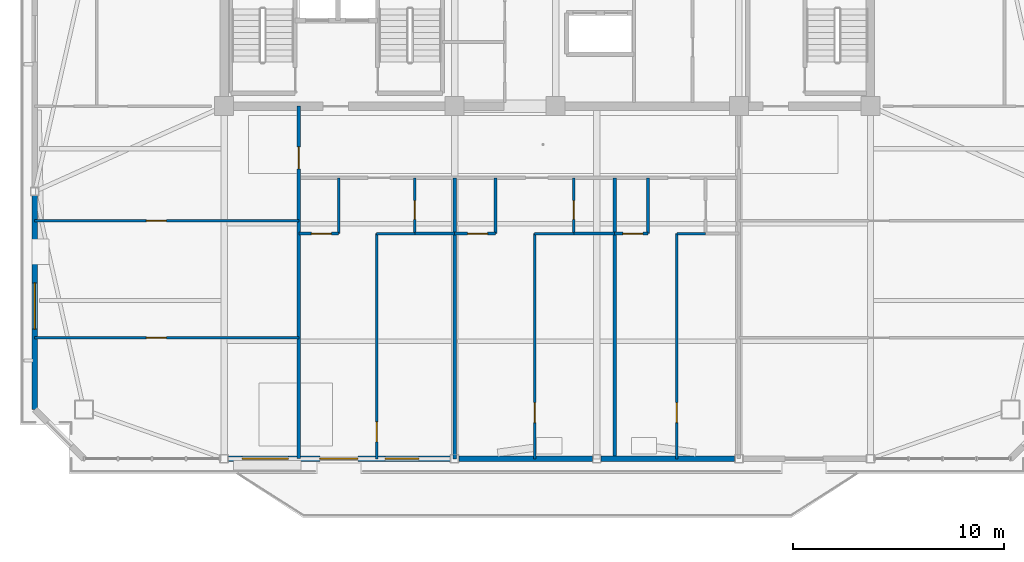
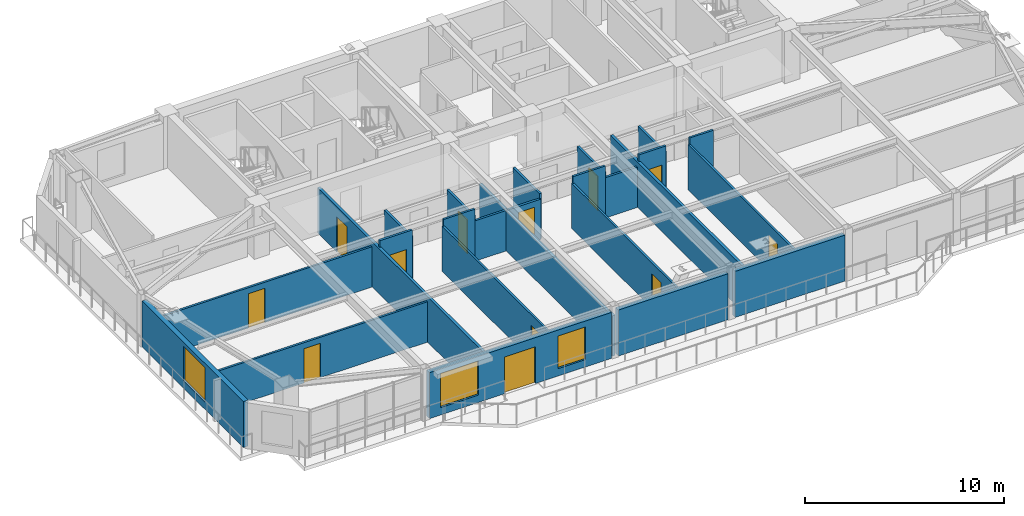
# One storey, part 6 of 14: 25 walls, 12 doors, 3 windows, 15 openings.
"""IFC4 building model written with IfcOpenShell, lengths in metres."""

from ifc_helpers import new_model, si_unit, direction, frame, frame_2d, origin, place, context, subcontext, project, spatial, rectangle, extrude, source, transform, mapped, material, layer, layer_set, type_object, element, fill, save


model = new_model("IFC4")

# Units and contexts
model_context = context("Model", 3, precision=1e-05, world=origin(), true_north=direction((0.0, 1.0)))
body_context = subcontext(model_context, "Body", "Model", "MODEL_VIEW")
ifc_project = project(units=[si_unit("LENGTHUNIT", "METRE"), si_unit("AREAUNIT", "SQUARE_METRE"), si_unit("VOLUMEUNIT", "CUBIC_METRE"), si_unit("PLANEANGLEUNIT", "RADIAN"), si_unit("MASSUNIT", "GRAM", prefix="KILO")], contexts=[model_context])

# Site, building, storey
site_placement = place(None, origin())
site = spatial("IfcSite", under=ifc_project, at=site_placement, CompositionType="ELEMENT")
building_placement = place(site_placement, origin())
building = spatial("IfcBuilding", under=site, at=building_placement, Name="Giltprow Tower", CompositionType="ELEMENT")
storey_placement = place(building_placement, frame((0.0, 0.0, 317.60009765625)))
storey = spatial("IfcBuildingStorey", under=building, at=storey_placement, Name="L82", CompositionType="ELEMENT", Elevation=317.60009765625)

# Wall, openings, windows, door
ifc_material_1 = material(Name="Precast concrete C40", Category="concrete")
ifc_layer_1 = layer(ifc_material_1, 0.280029296875, Name="Precast concrete C40")
ifc_layer_set_1 = layer_set([ifc_layer_1], Name="Precast concrete C40")
wall_type_1 = type_object("IfcWallType", Name="EW-TOW-BRONZE-280", PredefinedType="SOLIDWALL", material=ifc_layer_set_1)
wall_1_placement = place(storey_placement, frame((20.050048828125, 20.7041015625, 0.0), z_axis=(0.0, 0.0, 1.0), x_axis=(1.0, 0.0, 0.0)))
wall_1 = element("IfcWall", 1, at=wall_1_placement, inside=storey, type_object=wall_type_1, Name="L82 South Expressed Frame Wall 2", PredefinedType="SOLIDWALL", context=body_context, shape_type="SweptSolid", body=[
    extrude(rectangle(XDim=10.550048828125, YDim=0.280029296875, at=frame_2d((5.27490234375, 0.0))), origin(), (0.0, 0.0, 1.0), 2.81494140625),
])
opening_1_placement = place(wall_1_placement, frame((4.35009765625, 0.0, 0.0)))
opening_1 = element("IfcOpeningElement", 2, at=opening_1_placement, cuts=wall_1, Name="Opening ED25", PredefinedType="OPENING", context=body_context, shape_type="SweptSolid", body=[
    extrude(rectangle(XDim=1.800048828125, YDim=2.25, at=frame_2d((0.89990234375, 1.125))), frame((0.0, 0.14990234375, 0.0), z_axis=(0.0, -1.0, 0.0), x_axis=(1.0, 0.0, 0.0)), (0.0, 0.0, 1.0), 0.300048828125),
])
opening_2_placement = place(wall_1_placement, frame((0.64990234375, 0.0, 0.449951171875)))
opening_2 = element("IfcOpeningElement", 3, at=opening_2_placement, cuts=wall_1, Name="Opening WN27", PredefinedType="OPENING", context=body_context, shape_type="SweptSolid", body=[
    extrude(rectangle(XDim=2.199951171875, YDim=2.10009765625, at=frame_2d((1.10009765625, 1.050048828125))), frame((0.0, 0.14990234375, 0.0), z_axis=(0.0, -1.0, 0.0), x_axis=(1.0, 0.0, 0.0)), (0.0, 0.0, 1.0), 0.300048828125),
])
opening_3_placement = place(wall_1_placement, frame((7.449951171875, 0.0, 0.449951171875)))
opening_3 = element("IfcOpeningElement", 4, at=opening_3_placement, cuts=wall_1, Name="Opening WN17", PredefinedType="OPENING", context=body_context, shape_type="SweptSolid", body=[
    extrude(rectangle(XDim=1.60009765625, YDim=2.0, at=frame_2d((0.800048828125, 1.0))), frame((0.0, 0.14990234375, 0.0), z_axis=(0.0, -1.0, 0.0), x_axis=(1.0, 0.0, 0.0)), (0.0, 0.0, 1.0), 0.300048828125),
])
ifc_material_2 = material(Name="Insulated glass", Category="glass")
window_type_1 = type_object("IfcWindowType", Name="WN-COR-1600x2000", PartitioningType="SINGLE_PANEL", PredefinedType="WINDOW", material=ifc_material_2)
shared_shape_1 = source(origin(), body_context, "Body", "SweptSolid", [
    extrude(rectangle(XDim=1.60009765625, YDim=2.0, at=frame_2d((0.800048828125, 1.0))), frame((0.0, 0.030029296875, 0.0), z_axis=(0.0, -1.0, 0.0), x_axis=(1.0, 0.0, 0.0)), (0.0, 0.0, 1.0), 0.06005859375),
])
window_1_placement = place(opening_3_placement, origin())
window_1 = element("IfcWindow", 5, at=window_1_placement, inside=storey, type_object=window_type_1, Name="L82 South Window 2B", OverallHeight=2.0, OverallWidth=1.60009765625, PartitioningType="SINGLE_PANEL", PredefinedType="WINDOW", context=body_context, shape_type="MappedRepresentation", body=[
    mapped(shared_shape_1, transform((0.0, 0.0, 0.0), x_axis=(1.0, 0.0, 0.0), y_axis=(0.0, 1.0, 0.0), z_axis=(0.0, 0.0, 1.0), scale=1.0)),
])
fill(opening_3, window_1)
ifc_material_3 = material(Name="Anodized bronze and glass", Category="glass")
door_type_1 = type_object("IfcDoorType", Name="DR-BALC-SLIDE-1800", OperationType="SLIDING_TO_LEFT", PredefinedType="DOOR", material=ifc_material_3)
shared_shape_2 = source(origin(), body_context, "Body", "SweptSolid", [
    extrude(rectangle(XDim=1.800048828125, YDim=2.25, at=frame_2d((0.89990234375, 1.125))), frame((0.0, 0.02490234375, 0.0), z_axis=(0.0, -1.0, 0.0), x_axis=(1.0, 0.0, 0.0)), (0.0, 0.0, 1.0), 0.050048828125),
])
door_1_placement = place(opening_1_placement, origin())
door_1 = element("IfcDoor", 6, at=door_1_placement, inside=storey, type_object=door_type_1, Name="L82 Waterfront Balcony Sliding Door 1", OperationType="SLIDING_TO_LEFT", OverallHeight=2.25, OverallWidth=1.800048828125, PredefinedType="DOOR", context=body_context, shape_type="MappedRepresentation", body=[
    mapped(shared_shape_2, transform((0.0, 0.0, 0.0), x_axis=(1.0, 0.0, 0.0), y_axis=(0.0, 1.0, 0.0), z_axis=(0.0, 0.0, 1.0), scale=1.0)),
])
fill(opening_1, door_1)
window_type_2 = type_object("IfcWindowType", Name="WN-RES-2200x2100", PartitioningType="TRIPLE_PANEL_VERTICAL", PredefinedType="WINDOW", material=ifc_material_2)
shared_shape_3 = source(origin(), body_context, "Body", "SweptSolid", [
    extrude(rectangle(XDim=2.199951171875, YDim=2.10009765625, at=frame_2d((1.10009765625, 1.050048828125))), frame((0.0, 0.030029296875, 0.0), z_axis=(0.0, -1.0, 0.0), x_axis=(1.0, 0.0, 0.0)), (0.0, 0.0, 1.0), 0.06005859375),
])
window_2_placement = place(opening_2_placement, origin())
window_2 = element("IfcWindow", 7, at=window_2_placement, inside=storey, type_object=window_type_2, Name="L82 South Window 2A", OverallHeight=2.10009765625, OverallWidth=2.199951171875, PartitioningType="SINGLE_PANEL", PredefinedType="WINDOW", context=body_context, shape_type="MappedRepresentation", body=[
    mapped(shared_shape_3, transform((0.0, 0.0, 0.0), x_axis=(1.0, 0.0, 0.0), y_axis=(0.0, 1.0, 0.0), z_axis=(0.0, 0.0, 1.0), scale=1.0)),
])
fill(opening_2, window_2)

# Walls
for number, where, z_axis, x_axis, name in (
    (8, (31.0, 20.7041015625, 0.0), (0.0, 0.0, 1.0), (1.0, 0.0, 0.0), "L82 South Expressed Frame Wall 3"),
    (9, (37.75, 20.7041015625, 0.0), (0.0, 0.0, 1.0), (1.0, 0.0, 0.0), "L82 South Expressed Frame Wall 4"),
):
    element("IfcWall", number, at=place(storey_placement, frame(where, z_axis=z_axis, x_axis=x_axis)), inside=storey, type_object=wall_type_1, Name=name, PredefinedType="SOLIDWALL", context=body_context, shape_type="SweptSolid", body=[
        extrude(rectangle(XDim=6.35009765625, YDim=0.280029296875, at=frame_2d((3.175048828125, 0.0))), origin(), (0.0, 0.0, 1.0), 2.81494140625),
    ])

# Wall, opening, window
wall_2_placement = place(storey_placement, frame((10.85498046875, 23.0419921875, 0.0), z_axis=(0.0, 0.0, 1.0), x_axis=(0.0, 1.0, 0.0)))
wall_2 = element("IfcWall", 10, at=wall_2_placement, inside=storey, type_object=wall_type_1, Name="L82 W Wing Masonry Wall 1", PredefinedType="SOLIDWALL", context=body_context, shape_type="SweptSolid", body=[
    extrude(rectangle(XDim=10.159912109375, YDim=0.280029296875, at=frame_2d((5.080078125, 0.0))), origin(), (0.0, 0.0, 1.0), 2.81494140625),
])
opening_4_placement = place(wall_2_placement, frame((3.820068359375, 0.0, 0.449951171875)))
opening_4 = element("IfcOpeningElement", 11, at=opening_4_placement, cuts=wall_2, Name="Opening WN27", PredefinedType="OPENING", context=body_context, shape_type="SweptSolid", body=[
    extrude(rectangle(XDim=2.199951171875, YDim=2.10009765625, at=frame_2d((1.10009765625, 1.050048828125))), frame((0.0, 0.14990234375, 0.0), z_axis=(0.0, -1.0, 0.0), x_axis=(1.0, 0.0, 0.0)), (0.0, 0.0, 1.0), 0.300048828125),
])
window_3_placement = place(opening_4_placement, origin())
window_3 = element("IfcWindow", 12, at=window_3_placement, inside=storey, type_object=window_type_2, Name="L82 W Wing Window 1-1", OverallHeight=2.10009765625, OverallWidth=2.199951171875, PartitioningType="SINGLE_PANEL", PredefinedType="WINDOW", context=body_context, shape_type="MappedRepresentation", body=[
    mapped(shared_shape_3, transform((0.0, 0.0, 0.0), x_axis=(1.0, 0.0, 0.0), y_axis=(0.0, 1.0, 0.0), z_axis=(0.0, 0.0, 1.0), scale=1.0)),
])
fill(opening_4, window_3)

# Wall, opening, door
ifc_material_4 = material(Name="Gypsum stud partition", Category="gypsum")
ifc_layer_2 = layer(ifc_material_4, 0.159912109375, Name="Gypsum stud partition")
ifc_layer_set_2 = layer_set([ifc_layer_2], Name="Gypsum stud partition")
wall_type_2 = type_object("IfcWallType", Name="IW-DEMISE-160", PredefinedType="PARTITIONING", material=ifc_layer_set_2)
wall_3_placement = place(storey_placement, frame((23.39990234375, 20.7041015625, 0.0), z_axis=(0.0, 0.0, 1.0), x_axis=(0.0, 1.0, 0.0)))
wall_3 = element("IfcWall", 13, at=wall_3_placement, inside=storey, type_object=wall_type_2, Name="L82 Apartment Party Wall 1", PredefinedType="PARTITIONING", context=body_context, shape_type="SweptSolid", body=[
    extrude(rectangle(XDim=16.745849609375, YDim=0.159912109375, at=frame_2d((8.373046875, 0.0))), origin(), (0.0, 0.0, 1.0), 2.77001953125),
])
opening_5_placement = place(wall_3_placement, frame((13.76611328125, 0.0, 0.0)))
opening_5 = element("IfcOpeningElement", 14, at=opening_5_placement, cuts=wall_3, Name="Opening ID31", PredefinedType="OPENING", context=body_context, shape_type="SweptSolid", body=[
    extrude(rectangle(XDim=1.050048828125, YDim=2.14990234375, at=frame_2d((0.52490234375, 1.074951171875))), frame((0.0, 0.08984375, 0.0), z_axis=(0.0, -1.0, 0.0), x_axis=(1.0, 0.0, 0.0)), (0.0, 0.0, 1.0), 0.179931640625),
])
ifc_material_5 = material(Name="Engineered timber", Category="wood")
door_type_2 = type_object("IfcDoorType", Name="DR-SUITE-1050", OperationType="SINGLE_SWING_LEFT", PredefinedType="DOOR", material=ifc_material_5)
shared_shape_4 = source(origin(), body_context, "Body", "SweptSolid", [
    extrude(rectangle(XDim=1.050048828125, YDim=2.14990234375, at=frame_2d((0.52490234375, 1.074951171875))), frame((0.0, 0.02490234375, 0.0), z_axis=(0.0, -1.0, 0.0), x_axis=(1.0, 0.0, 0.0)), (0.0, 0.0, 1.0), 0.050048828125),
])
door_2_placement = place(opening_5_placement, origin())
door_2 = element("IfcDoor", 15, at=door_2_placement, inside=storey, type_object=door_type_2, Name="L82 Committee Meeting Room Corridor End Door", OperationType="SINGLE_SWING_LEFT", OverallHeight=2.14990234375, OverallWidth=1.050048828125, PredefinedType="DOOR", context=body_context, shape_type="MappedRepresentation", body=[
    mapped(shared_shape_4, transform((0.0, 0.0, 0.0), x_axis=(1.0, 0.0, 0.0), y_axis=(0.0, 1.0, 0.0), z_axis=(0.0, 0.0, 1.0), scale=1.0)),
])
fill(opening_5, door_2)

# Walls
wall_4_placement = place(storey_placement, frame((30.800048828125, 20.7041015625, 0.0), z_axis=(0.0, 0.0, 1.0), x_axis=(0.0, 1.0, 0.0)))
element("IfcWall", 16, at=wall_4_placement, inside=storey, type_object=wall_type_2, Name="L82 Apartment Party Wall 2", PredefinedType="PARTITIONING", context=body_context, shape_type="SweptSolid", body=[
    extrude(rectangle(XDim=13.345947265625, YDim=0.159912109375, at=frame_2d((6.6728515625, 0.0))), origin(), (0.0, 0.0, 1.0), 2.469970703125),
])
wall_5_placement = place(storey_placement, frame((38.39990234375, 20.7041015625, 0.0), z_axis=(0.0, 0.0, 1.0), x_axis=(0.0, 1.0, 0.0)))
element("IfcWall", 17, at=wall_5_placement, inside=storey, type_object=wall_type_2, Name="L82 Apartment Party Wall 3", PredefinedType="PARTITIONING", context=body_context, shape_type="SweptSolid", body=[
    extrude(rectangle(XDim=13.345947265625, YDim=0.159912109375, at=frame_2d((6.6728515625, 0.0))), origin(), (0.0, 0.0, 1.0), 2.77001953125),
])

# Wall, opening, door
ifc_layer_3 = layer(ifc_material_4, 0.1201171875, Name="Gypsum stud partition")
ifc_layer_set_3 = layer_set([ifc_layer_3], Name="Gypsum stud partition")
wall_type_3 = type_object("IfcWallType", Name="IW-ROOM-120", PredefinedType="PARTITIONING", material=ifc_layer_set_3)
wall_6_placement = place(storey_placement, frame((10.85498046875, 26.4619140625, 0.0), z_axis=(0.0, 0.0, 1.0), x_axis=(1.0, 0.0, 0.0)))
wall_6 = element("IfcWall", 18, at=wall_6_placement, inside=storey, type_object=wall_type_3, Name="L82 Special Split 1", PredefinedType="PARTITIONING", context=body_context, shape_type="SweptSolid", body=[
    extrude(rectangle(XDim=12.544921875, YDim=0.1201171875, at=frame_2d((6.2724609375, 0.0))), origin(), (0.0, 0.0, 1.0), 2.469970703125),
])
opening_6_placement = place(wall_6_placement, frame((5.303955078125, 0.0, 0.0)))
opening_6 = element("IfcOpeningElement", 19, at=opening_6_placement, cuts=wall_6, Name="Opening ID11", PredefinedType="OPENING", context=body_context, shape_type="SweptSolid", body=[
    extrude(rectangle(XDim=0.949951171875, YDim=2.10009765625, at=frame_2d((0.47509765625, 1.050048828125))), frame((0.0, 0.070068359375, 0.0), z_axis=(0.0, -1.0, 0.0), x_axis=(1.0, 0.0, 0.0)), (0.0, 0.0, 1.0), 0.14013671875),
])
door_type_3 = type_object("IfcDoorType", Name="DR-ROOM-950", OperationType="SINGLE_SWING_RIGHT", PredefinedType="DOOR", material=ifc_material_5)
shared_shape_5 = source(origin(), body_context, "Body", "SweptSolid", [
    extrude(rectangle(XDim=0.949951171875, YDim=2.10009765625, at=frame_2d((0.47509765625, 1.050048828125))), frame((0.0, 0.02490234375, 0.0), z_axis=(0.0, -1.0, 0.0), x_axis=(1.0, 0.0, 0.0)), (0.0, 0.0, 1.0), 0.050048828125),
])
door_3_placement = place(opening_6_placement, origin())
door_3 = element("IfcDoor", 20, at=door_3_placement, inside=storey, type_object=door_type_3, Name="L82 Committee Meeting Room South Door", OperationType="SINGLE_SWING_LEFT", OverallHeight=2.10009765625, OverallWidth=0.949951171875, PredefinedType="DOOR", context=body_context, shape_type="MappedRepresentation", body=[
    mapped(shared_shape_5, transform((0.0, 0.0, 0.0), x_axis=(1.0, 0.0, 0.0), y_axis=(0.0, 1.0, 0.0), z_axis=(0.0, 0.0, 1.0), scale=1.0)),
])
fill(opening_6, door_3)

wall_7_placement = place(storey_placement, frame((10.85498046875, 32.01904296875, 0.0), z_axis=(0.0, 0.0, 1.0), x_axis=(1.0, 0.0, 0.0)))
wall_7 = element("IfcWall", 21, at=wall_7_placement, inside=storey, type_object=wall_type_3, Name="L82 Special Split 2", PredefinedType="PARTITIONING", context=body_context, shape_type="SweptSolid", body=[
    extrude(rectangle(XDim=12.544921875, YDim=0.1201171875, at=frame_2d((6.2724609375, 0.0))), origin(), (0.0, 0.0, 1.0), 2.469970703125),
])
opening_7_placement = place(wall_7_placement, frame((5.303955078125, 0.0, 0.0)))
opening_7 = element("IfcOpeningElement", 22, at=opening_7_placement, cuts=wall_7, Name="Opening ID11", PredefinedType="OPENING", context=body_context, shape_type="SweptSolid", body=[
    extrude(rectangle(XDim=0.949951171875, YDim=2.10009765625, at=frame_2d((0.47509765625, 1.050048828125))), frame((0.0, 0.070068359375, 0.0), z_axis=(0.0, -1.0, 0.0), x_axis=(1.0, 0.0, 0.0)), (0.0, 0.0, 1.0), 0.14013671875),
])
door_4_placement = place(opening_7_placement, origin())
door_4 = element("IfcDoor", 23, at=door_4_placement, inside=storey, type_object=door_type_3, Name="L82 Committee Meeting Room Mid Door", OperationType="SINGLE_SWING_RIGHT", OverallHeight=2.10009765625, OverallWidth=0.949951171875, PredefinedType="DOOR", context=body_context, shape_type="MappedRepresentation", body=[
    mapped(shared_shape_5, transform((0.0, 0.0, 0.0), x_axis=(1.0, 0.0, 0.0), y_axis=(0.0, 1.0, 0.0), z_axis=(0.0, 0.0, 1.0), scale=1.0)),
])
fill(opening_7, door_4)

# Wall
wall_8_placement = place(storey_placement, frame((27.10009765625, 31.39990234375, 0.0), z_axis=(0.0, 0.0, 1.0), x_axis=(1.0, 0.0, 0.0)))
element("IfcWall", 24, at=wall_8_placement, inside=storey, type_object=wall_type_3, Name="L82 Unit 1 Bedroom North Wall", PredefinedType="PARTITIONING", context=body_context, shape_type="SweptSolid", body=[
    extrude(rectangle(XDim=1.809814453125, YDim=0.1201171875, at=frame_2d((0.90478515625, 0.0))), origin(), (0.0, 0.0, 1.0), 3.184814453125),
])

# Wall, opening, door
wall_9_placement = place(storey_placement, frame((27.10009765625, 20.7041015625, 0.0), z_axis=(0.0, 0.0, 1.0), x_axis=(0.0, 1.0, 0.0)))
wall_9 = element("IfcWall", 25, at=wall_9_placement, inside=storey, type_object=wall_type_3, Name="L82 Unit 1 Bedroom Wall", PredefinedType="PARTITIONING", context=body_context, shape_type="SweptSolid", body=[
    extrude(rectangle(XDim=10.69580078125, YDim=0.1201171875, at=frame_2d((5.347900390625, 0.0))), origin(), (0.0, 0.0, 1.0), 2.77001953125),
])
opening_8_placement = place(wall_9_placement, frame((0.800048828125, 0.0, 0.0)))
opening_8 = element("IfcOpeningElement", 26, at=opening_8_placement, cuts=wall_9, Name="Opening ID11", PredefinedType="OPENING", context=body_context, shape_type="SweptSolid", body=[
    extrude(rectangle(XDim=0.949951171875, YDim=2.10009765625, at=frame_2d((0.47509765625, 1.050048828125))), frame((0.0, 0.070068359375, 0.0), z_axis=(0.0, -1.0, 0.0), x_axis=(1.0, 0.0, 0.0)), (0.0, 0.0, 1.0), 0.14013671875),
])
door_5_placement = place(opening_8_placement, origin())
door_5 = element("IfcDoor", 27, at=door_5_placement, inside=storey, type_object=door_type_3, Name="L82 Unit 1 Primary Bedroom Door", OperationType="SINGLE_SWING_LEFT", OverallHeight=2.10009765625, OverallWidth=0.949951171875, PredefinedType="DOOR", context=body_context, shape_type="MappedRepresentation", body=[
    mapped(shared_shape_5, transform((0.0, 0.0, 0.0), x_axis=(1.0, 0.0, 0.0), y_axis=(0.0, 1.0, 0.0), z_axis=(0.0, 0.0, 1.0), scale=1.0)),
])
fill(opening_8, door_5)

# Wall
wall_10_placement = place(storey_placement, frame((34.60009765625, 31.39990234375, 0.0), z_axis=(0.0, 0.0, 1.0), x_axis=(1.0, 0.0, 0.0)))
element("IfcWall", 28, at=wall_10_placement, inside=storey, type_object=wall_type_3, Name="L82 Unit 2 Bedroom North Wall", PredefinedType="PARTITIONING", context=body_context, shape_type="SweptSolid", body=[
    extrude(rectangle(XDim=1.85986328125, YDim=0.1201171875, at=frame_2d((0.929931640625, 0.0))), origin(), (0.0, 0.0, 1.0), 3.184814453125),
])

# Wall, opening, door
wall_11_placement = place(storey_placement, frame((34.60009765625, 20.7041015625, 0.0), z_axis=(0.0, 0.0, 1.0), x_axis=(0.0, 1.0, 0.0)))
wall_11 = element("IfcWall", 29, at=wall_11_placement, inside=storey, type_object=wall_type_3, Name="L82 Unit 2 Bedroom Wall", PredefinedType="PARTITIONING", context=body_context, shape_type="SweptSolid", body=[
    extrude(rectangle(XDim=10.69580078125, YDim=0.1201171875, at=frame_2d((5.347900390625, 0.0))), origin(), (0.0, 0.0, 1.0), 2.77001953125),
])
opening_9_placement = place(wall_11_placement, frame((1.719970703125, 0.0, 0.0)))
opening_9 = element("IfcOpeningElement", 30, at=opening_9_placement, cuts=wall_11, Name="Opening ID11", PredefinedType="OPENING", context=body_context, shape_type="SweptSolid", body=[
    extrude(rectangle(XDim=0.949951171875, YDim=2.10009765625, at=frame_2d((0.47509765625, 1.050048828125))), frame((0.0, 0.070068359375, 0.0), z_axis=(0.0, -1.0, 0.0), x_axis=(1.0, 0.0, 0.0)), (0.0, 0.0, 1.0), 0.14013671875),
])
door_6_placement = place(opening_9_placement, origin())
door_6 = element("IfcDoor", 31, at=door_6_placement, inside=storey, type_object=door_type_3, Name="L82 Unit 2 Primary Bedroom Door", OperationType="SINGLE_SWING_LEFT", OverallHeight=2.10009765625, OverallWidth=0.949951171875, PredefinedType="DOOR", context=body_context, shape_type="MappedRepresentation", body=[
    mapped(shared_shape_5, transform((0.0, 0.0, 0.0), x_axis=(1.0, 0.0, 0.0), y_axis=(0.0, 1.0, 0.0), z_axis=(0.0, 0.0, 1.0), scale=1.0)),
])
fill(opening_9, door_6)

# Wall
wall_12_placement = place(storey_placement, frame((41.35009765625, 31.39990234375, 0.0), z_axis=(0.0, 0.0, 1.0), x_axis=(1.0, 0.0, 0.0)))
element("IfcWall", 32, at=wall_12_placement, inside=storey, type_object=wall_type_3, Name="L82 Unit 3 Bedroom North Wall", PredefinedType="PARTITIONING", context=body_context, shape_type="SweptSolid", body=[
    extrude(rectangle(XDim=1.369873046875, YDim=0.1201171875, at=frame_2d((0.68505859375, 0.0))), origin(), (0.0, 0.0, 1.0), 3.184814453125),
])

# Wall, opening, door
wall_13_placement = place(storey_placement, frame((41.35009765625, 20.7041015625, 0.0), z_axis=(0.0, 0.0, 1.0), x_axis=(0.0, 1.0, 0.0)))
wall_13 = element("IfcWall", 33, at=wall_13_placement, inside=storey, type_object=wall_type_3, Name="L82 Unit 3 Bedroom Wall", PredefinedType="PARTITIONING", context=body_context, shape_type="SweptSolid", body=[
    extrude(rectangle(XDim=10.69580078125, YDim=0.1201171875, at=frame_2d((5.347900390625, 0.0))), origin(), (0.0, 0.0, 1.0), 2.77001953125),
])
opening_10_placement = place(wall_13_placement, frame((1.719970703125, 0.0, 0.0)))
opening_10 = element("IfcOpeningElement", 34, at=opening_10_placement, cuts=wall_13, Name="Opening ID11", PredefinedType="OPENING", context=body_context, shape_type="SweptSolid", body=[
    extrude(rectangle(XDim=0.949951171875, YDim=2.10009765625, at=frame_2d((0.47509765625, 1.050048828125))), frame((0.0, 0.070068359375, 0.0), z_axis=(0.0, -1.0, 0.0), x_axis=(1.0, 0.0, 0.0)), (0.0, 0.0, 1.0), 0.14013671875),
])
door_7_placement = place(opening_10_placement, origin())
door_7 = element("IfcDoor", 35, at=door_7_placement, inside=storey, type_object=door_type_3, Name="L82 Unit 3 Primary Bedroom Door", OperationType="SINGLE_SWING_LEFT", OverallHeight=2.10009765625, OverallWidth=0.949951171875, PredefinedType="DOOR", context=body_context, shape_type="MappedRepresentation", body=[
    mapped(shared_shape_5, transform((0.0, 0.0, 0.0), x_axis=(1.0, 0.0, 0.0), y_axis=(0.0, 1.0, 0.0), z_axis=(0.0, 0.0, 1.0), scale=1.0)),
])
fill(opening_10, door_7)

ifc_material_6 = material(Name="Concrete C30", Category="concrete")
ifc_layer_4 = layer(ifc_material_6, 0.1298828125, Name="Concrete C30")
ifc_layer_set_4 = layer_set([ifc_layer_4], Name="Concrete C30")
wall_type_4 = type_object("IfcWallType", Name="IW-WET-130", PredefinedType="PARTITIONING", material=ifc_layer_set_4)
wall_14_placement = place(storey_placement, frame((23.39990234375, 31.39990234375, 0.0), z_axis=(0.0, 0.0, 1.0), x_axis=(1.0, 0.0, 0.0)))
wall_14 = element("IfcWall", 36, at=wall_14_placement, inside=storey, type_object=wall_type_4, Name="L82 Unit 1 Kitchen South Wall", PredefinedType="PARTITIONING", context=body_context, shape_type="SweptSolid", body=[
    extrude(rectangle(XDim=1.89013671875, YDim=0.1298828125, at=frame_2d((0.945068359375, 0.0))), origin(), (0.0, 0.0, 1.0), 3.184814453125),
])
opening_11_placement = place(wall_14_placement, frame((0.590087890625, 0.0, 0.0)))
opening_11 = element("IfcOpeningElement", 37, at=opening_11_placement, cuts=wall_14, Name="Opening ID11", PredefinedType="OPENING", context=body_context, shape_type="SweptSolid", body=[
    extrude(rectangle(XDim=0.949951171875, YDim=2.10009765625, at=frame_2d((0.47509765625, 1.050048828125))), frame((0.0, 0.074951171875, 0.0), z_axis=(0.0, -1.0, 0.0), x_axis=(1.0, 0.0, 0.0)), (0.0, 0.0, 1.0), 0.14990234375),
])
door_8_placement = place(opening_11_placement, origin())
door_8 = element("IfcDoor", 38, at=door_8_placement, inside=storey, type_object=door_type_3, Name="L82 Unit 1 Kitchen Door", OperationType="SINGLE_SWING_LEFT", OverallHeight=2.10009765625, OverallWidth=0.949951171875, PredefinedType="DOOR", context=body_context, shape_type="MappedRepresentation", body=[
    mapped(shared_shape_5, transform((0.0, 0.0, 0.0), x_axis=(1.0, 0.0, 0.0), y_axis=(0.0, 1.0, 0.0), z_axis=(0.0, 0.0, 1.0), scale=1.0)),
])
fill(opening_11, door_8)

# Walls
wall_15_placement = place(storey_placement, frame((25.2900390625, 31.39990234375, 0.0), z_axis=(0.0, 0.0, 1.0), x_axis=(0.0, 1.0, 0.0)))
element("IfcWall", 39, at=wall_15_placement, inside=storey, type_object=wall_type_4, Name="L82 Unit 1 Kitchen East Wall", PredefinedType="PARTITIONING", context=body_context, shape_type="SweptSolid", body=[
    extrude(rectangle(XDim=2.650146484375, YDim=0.1298828125, at=frame_2d((1.3251953125, 0.0))), origin(), (0.0, 0.0, 1.0), 2.77001953125),
])
wall_16_placement = place(storey_placement, frame((28.909912109375, 31.39990234375, 0.0), z_axis=(0.0, 0.0, 1.0), x_axis=(1.0, 0.0, 0.0)))
element("IfcWall", 40, at=wall_16_placement, inside=storey, type_object=wall_type_4, Name="L82 Unit 1 Bathroom South Wall", PredefinedType="PARTITIONING", context=body_context, shape_type="SweptSolid", body=[
    extrude(rectangle(XDim=1.89013671875, YDim=0.1298828125, at=frame_2d((0.945068359375, 0.0))), origin(), (0.0, 0.0, 1.0), 2.469970703125),
])

# Wall, opening, door
wall_17_placement = place(storey_placement, frame((28.909912109375, 31.39990234375, 0.0), z_axis=(0.0, 0.0, 1.0), x_axis=(0.0, 1.0, 0.0)))
wall_17 = element("IfcWall", 41, at=wall_17_placement, inside=storey, type_object=wall_type_4, Name="L82 Unit 1 Bathroom West Wall", PredefinedType="PARTITIONING", context=body_context, shape_type="SweptSolid", body=[
    extrude(rectangle(XDim=2.650146484375, YDim=0.1298828125, at=frame_2d((1.3251953125, 0.0))), origin(), (0.0, 0.0, 1.0), 2.77001953125),
])
opening_12_placement = place(wall_17_placement, frame((0.669921875, 0.0, 0.0)))
opening_12 = element("IfcOpeningElement", 42, at=opening_12_placement, cuts=wall_17, Name="Opening ID15", PredefinedType="OPENING", context=body_context, shape_type="SweptSolid", body=[
    extrude(rectangle(XDim=0.89990234375, YDim=2.10009765625, at=frame_2d((0.449951171875, 1.050048828125))), frame((0.0, 0.074951171875, 0.0), z_axis=(0.0, -1.0, 0.0), x_axis=(1.0, 0.0, 0.0)), (0.0, 0.0, 1.0), 0.14990234375),
])
door_type_4 = type_object("IfcDoorType", Name="DR-WC-900", OperationType="SINGLE_SWING_LEFT", PredefinedType="DOOR", material=ifc_material_5)
shared_shape_6 = source(origin(), body_context, "Body", "SweptSolid", [
    extrude(rectangle(XDim=0.89990234375, YDim=2.10009765625, at=frame_2d((0.449951171875, 1.050048828125))), frame((0.0, 0.02490234375, 0.0), z_axis=(0.0, -1.0, 0.0), x_axis=(1.0, 0.0, 0.0)), (0.0, 0.0, 1.0), 0.050048828125),
])
door_9_placement = place(opening_12_placement, origin())
door_9 = element("IfcDoor", 43, at=door_9_placement, inside=storey, type_object=door_type_4, Name="L82 Unit 1 Bathroom Door", OperationType="SINGLE_SWING_RIGHT", OverallHeight=2.10009765625, OverallWidth=0.89990234375, PredefinedType="DOOR", context=body_context, shape_type="MappedRepresentation", body=[
    mapped(shared_shape_6, transform((0.0, 0.0, 0.0), x_axis=(1.0, 0.0, 0.0), y_axis=(0.0, 1.0, 0.0), z_axis=(0.0, 0.0, 1.0), scale=1.0)),
])
fill(opening_12, door_9)

wall_18_placement = place(storey_placement, frame((30.800048828125, 31.39990234375, 0.0), z_axis=(0.0, 0.0, 1.0), x_axis=(1.0, 0.0, 0.0)))
wall_18 = element("IfcWall", 44, at=wall_18_placement, inside=storey, type_object=wall_type_4, Name="L82 Unit 2 Kitchen South Wall", PredefinedType="PARTITIONING", context=body_context, shape_type="SweptSolid", body=[
    extrude(rectangle(XDim=1.93994140625, YDim=0.1298828125, at=frame_2d((0.969970703125, 0.0))), origin(), (0.0, 0.0, 1.0), 2.469970703125),
])
opening_13_placement = place(wall_18_placement, frame((0.614990234375, 0.0, 0.0)))
opening_13 = element("IfcOpeningElement", 45, at=opening_13_placement, cuts=wall_18, Name="Opening ID11", PredefinedType="OPENING", context=body_context, shape_type="SweptSolid", body=[
    extrude(rectangle(XDim=0.949951171875, YDim=2.10009765625, at=frame_2d((0.47509765625, 1.050048828125))), frame((0.0, 0.074951171875, 0.0), z_axis=(0.0, -1.0, 0.0), x_axis=(1.0, 0.0, 0.0)), (0.0, 0.0, 1.0), 0.14990234375),
])
door_10_placement = place(opening_13_placement, origin())
door_10 = element("IfcDoor", 46, at=door_10_placement, inside=storey, type_object=door_type_3, Name="L82 Unit 2 Kitchen Door", OperationType="SINGLE_SWING_LEFT", OverallHeight=2.10009765625, OverallWidth=0.949951171875, PredefinedType="DOOR", context=body_context, shape_type="MappedRepresentation", body=[
    mapped(shared_shape_5, transform((0.0, 0.0, 0.0), x_axis=(1.0, 0.0, 0.0), y_axis=(0.0, 1.0, 0.0), z_axis=(0.0, 0.0, 1.0), scale=1.0)),
])
fill(opening_13, door_10)

# Walls
wall_19_placement = place(storey_placement, frame((32.739990234375, 31.39990234375, 0.0), z_axis=(0.0, 0.0, 1.0), x_axis=(0.0, 1.0, 0.0)))
element("IfcWall", 47, at=wall_19_placement, inside=storey, type_object=wall_type_4, Name="L82 Unit 2 Kitchen East Wall", PredefinedType="PARTITIONING", context=body_context, shape_type="SweptSolid", body=[
    extrude(rectangle(XDim=2.650146484375, YDim=0.1298828125, at=frame_2d((1.3251953125, 0.0))), origin(), (0.0, 0.0, 1.0), 2.77001953125),
])
wall_20_placement = place(storey_placement, frame((36.4599609375, 31.39990234375, 0.0), z_axis=(0.0, 0.0, 1.0), x_axis=(1.0, 0.0, 0.0)))
element("IfcWall", 48, at=wall_20_placement, inside=storey, type_object=wall_type_4, Name="L82 Unit 2 Bathroom South Wall", PredefinedType="PARTITIONING", context=body_context, shape_type="SweptSolid", body=[
    extrude(rectangle(XDim=1.93994140625, YDim=0.1298828125, at=frame_2d((0.969970703125, 0.0))), origin(), (0.0, 0.0, 1.0), 2.469970703125),
])

# Wall, opening, door
wall_21_placement = place(storey_placement, frame((36.4599609375, 31.39990234375, 0.0), z_axis=(0.0, 0.0, 1.0), x_axis=(0.0, 1.0, 0.0)))
wall_21 = element("IfcWall", 49, at=wall_21_placement, inside=storey, type_object=wall_type_4, Name="L82 Unit 2 Bathroom West Wall", PredefinedType="PARTITIONING", context=body_context, shape_type="SweptSolid", body=[
    extrude(rectangle(XDim=2.650146484375, YDim=0.1298828125, at=frame_2d((1.3251953125, 0.0))), origin(), (0.0, 0.0, 1.0), 2.77001953125),
])
opening_14_placement = place(wall_21_placement, frame((0.669921875, 0.0, 0.0)))
opening_14 = element("IfcOpeningElement", 50, at=opening_14_placement, cuts=wall_21, Name="Opening ID15", PredefinedType="OPENING", context=body_context, shape_type="SweptSolid", body=[
    extrude(rectangle(XDim=0.89990234375, YDim=2.10009765625, at=frame_2d((0.449951171875, 1.050048828125))), frame((0.0, 0.074951171875, 0.0), z_axis=(0.0, -1.0, 0.0), x_axis=(1.0, 0.0, 0.0)), (0.0, 0.0, 1.0), 0.14990234375),
])
door_11_placement = place(opening_14_placement, origin())
door_11 = element("IfcDoor", 51, at=door_11_placement, inside=storey, type_object=door_type_4, Name="L82 Unit 2 Bathroom Door", OperationType="SINGLE_SWING_RIGHT", OverallHeight=2.10009765625, OverallWidth=0.89990234375, PredefinedType="DOOR", context=body_context, shape_type="MappedRepresentation", body=[
    mapped(shared_shape_6, transform((0.0, 0.0, 0.0), x_axis=(1.0, 0.0, 0.0), y_axis=(0.0, 1.0, 0.0), z_axis=(0.0, 0.0, 1.0), scale=1.0)),
])
fill(opening_14, door_11)

wall_22_placement = place(storey_placement, frame((38.39990234375, 31.39990234375, 0.0), z_axis=(0.0, 0.0, 1.0), x_axis=(1.0, 0.0, 0.0)))
wall_22 = element("IfcWall", 52, at=wall_22_placement, inside=storey, type_object=wall_type_4, Name="L82 Unit 3 Kitchen South Wall", PredefinedType="PARTITIONING", context=body_context, shape_type="SweptSolid", body=[
    extrude(rectangle(XDim=1.580078125, YDim=0.1298828125, at=frame_2d((0.7900390625, 0.0))), origin(), (0.0, 0.0, 1.0), 3.184814453125),
])
opening_15_placement = place(wall_22_placement, frame((0.389892578125, 0.0, 0.0)))
opening_15 = element("IfcOpeningElement", 53, at=opening_15_placement, cuts=wall_22, Name="Opening ID11", PredefinedType="OPENING", context=body_context, shape_type="SweptSolid", body=[
    extrude(rectangle(XDim=0.949951171875, YDim=2.10009765625, at=frame_2d((0.47509765625, 1.050048828125))), frame((0.0, 0.074951171875, 0.0), z_axis=(0.0, -1.0, 0.0), x_axis=(1.0, 0.0, 0.0)), (0.0, 0.0, 1.0), 0.14990234375),
])
door_12_placement = place(opening_15_placement, origin())
door_12 = element("IfcDoor", 54, at=door_12_placement, inside=storey, type_object=door_type_3, Name="L82 Unit 3 Kitchen Door", OperationType="SINGLE_SWING_LEFT", OverallHeight=2.10009765625, OverallWidth=0.949951171875, PredefinedType="DOOR", context=body_context, shape_type="MappedRepresentation", body=[
    mapped(shared_shape_5, transform((0.0, 0.0, 0.0), x_axis=(1.0, 0.0, 0.0), y_axis=(0.0, 1.0, 0.0), z_axis=(0.0, 0.0, 1.0), scale=1.0)),
])
fill(opening_15, door_12)

# Wall
wall_23_placement = place(storey_placement, frame((39.97998046875, 31.39990234375, 0.0), z_axis=(0.0, 0.0, 1.0), x_axis=(0.0, 1.0, 0.0)))
element("IfcWall", 55, at=wall_23_placement, inside=storey, type_object=wall_type_4, Name="L82 Unit 3 Kitchen East Wall", PredefinedType="PARTITIONING", context=body_context, shape_type="SweptSolid", body=[
    extrude(rectangle(XDim=2.650146484375, YDim=0.1298828125, at=frame_2d((1.3251953125, 0.0))), origin(), (0.0, 0.0, 1.0), 2.77001953125),
])

save(model, "model.ifc")
